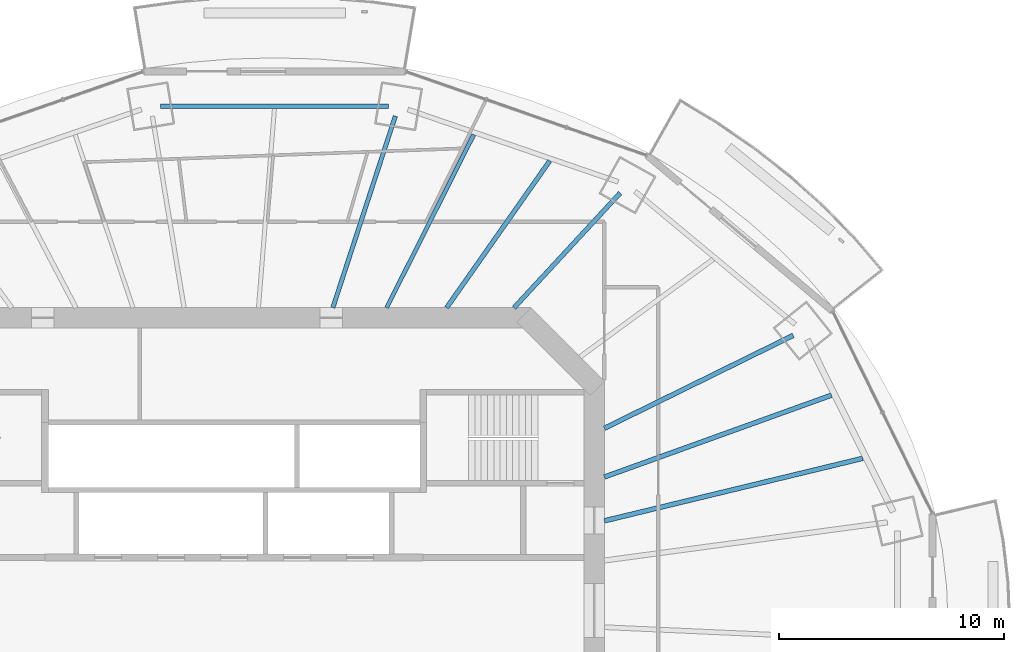
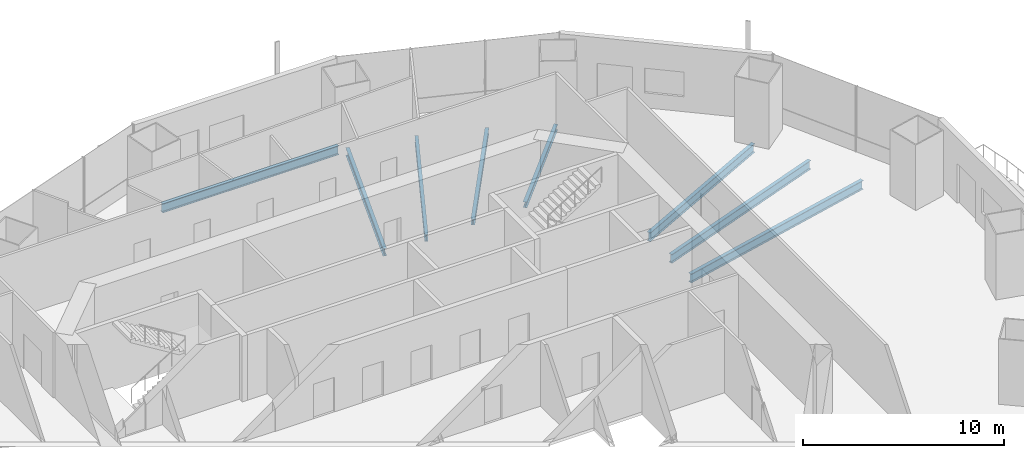
# One storey, part 7 of 19: 8 beams.
"""IFC4 building model written with IfcOpenShell, lengths in metres."""

from ifc_helpers import new_model, si_unit, direction, frame, origin, origin_2d, place, context, subcontext, project, spatial, i_section, extrude, material, material_profile, profile_set, type_object, element, save


model = new_model("IFC4")

# Units and contexts
model_context = context("Model", 3, precision=1e-05, world=origin(), true_north=direction((0.0, 1.0)))
body_context = subcontext(model_context, "Body", "Model", "MODEL_VIEW")
ifc_project = project(units=[si_unit("LENGTHUNIT", "METRE"), si_unit("AREAUNIT", "SQUARE_METRE"), si_unit("VOLUMEUNIT", "CUBIC_METRE"), si_unit("PLANEANGLEUNIT", "RADIAN"), si_unit("MASSUNIT", "GRAM", prefix="KILO")], contexts=[model_context])

# Site, building, storey
site_placement = place(None, origin())
site = spatial("IfcSite", under=ifc_project, at=site_placement, CompositionType="ELEMENT")
building_placement = place(site_placement, origin())
building = spatial("IfcBuilding", under=site, at=building_placement, Name="Marenthal Gate Tower", CompositionType="ELEMENT")
storey_placement = place(building_placement, frame((0.0, 0.0, 256.5)))
storey = spatial("IfcBuildingStorey", under=building, at=storey_placement, Name="L57", CompositionType="ELEMENT", Elevation=256.5)

# Beams
ifc_material_1 = material(Name="Steel S355", Category="steel")
ifc_material_profile_1 = material_profile(ifc_material_1, i_section(OverallWidth=0.205078125, OverallDepth=0.35302734375, WebThickness=0.009521484375, FlangeThickness=0.016845703125, FilletRadius=0.014892578125, at=origin_2d()), Name="W360X79")
ifc_profile_set_1 = profile_set([ifc_material_profile_1], Name="Steel S355")
beam_type_1 = type_object("IfcBeamType", Name="W360X79 beam", PredefinedType="BEAM", material=ifc_profile_set_1)
beam_1_placement = place(storey_placement, frame((17.155517578125, 18.55029296875, -0.3564453125), z_axis=(-0.678981850603, -0.734155056205, 0.0), x_axis=(0.734155056205, -0.678981850603, 0.0)))
element("IfcBeam", 1, at=beam_1_placement, inside=storey, type_object=beam_type_1, Name="BM-L57-03", PredefinedType="BEAM", context=body_context, shape_type="SweptSolid", body=[
    extrude(i_section(OverallWidth=0.205078125, OverallDepth=0.35302734375, WebThickness=0.009521484375, FlangeThickness=0.016845703125, FilletRadius=0.014892578125, at=origin_2d()), origin(), (0.0, 0.0, 1.0), 6.947265625),
])
beam_2_placement = place(storey_placement, frame((14.025146484375, 19.978271484375, -0.3564453125), z_axis=(-0.57457109748, -0.818454674335, 0.0), x_axis=(0.818454674335, -0.57457109748, 0.0)))
element("IfcBeam", 2, at=beam_2_placement, inside=storey, type_object=beam_type_1, Name="BM-L57-20", PredefinedType="BEAM", context=body_context, shape_type="SweptSolid", body=[
    extrude(i_section(OverallWidth=0.205078125, OverallDepth=0.35302734375, WebThickness=0.009521484375, FlangeThickness=0.016845703125, FilletRadius=0.014892578125, at=origin_2d()), origin(), (0.0, 0.0, 1.0), 7.976318359375),
])
ifc_material_2 = material(Name="Steel S355", Category="steel")
ifc_material_profile_2 = material_profile(ifc_material_2, i_section(OverallWidth=0.180908203125, OverallDepth=0.4169921875, WebThickness=0.010986328125, FlangeThickness=0.018310546875, FilletRadius=0.01025390625, at=origin_2d()), Name="W410X85")
ifc_profile_set_2 = profile_set([ifc_material_profile_2], Name="Steel S355")
beam_type_2 = type_object("IfcBeamType", Name="W410X85 beam", PredefinedType="BEAM", material=ifc_profile_set_2)
beam_3_placement = place(storey_placement, frame((10.649169921875, 21.140380859375, -0.388427734375), z_axis=(-0.449888013054, -0.893084976758, 0.0), x_axis=(0.893084976758, -0.449888013054, 0.0)))
element("IfcBeam", 3, at=beam_3_placement, inside=storey, type_object=beam_type_2, Name="BM-L57-21", PredefinedType="BEAM", context=body_context, shape_type="SweptSolid", body=[
    extrude(i_section(OverallWidth=0.180908203125, OverallDepth=0.4169921875, WebThickness=0.010986328125, FlangeThickness=0.018310546875, FilletRadius=0.01025390625, at=origin_2d()), origin(), (0.0, 0.0, 1.0), 8.611083984375),
])
ifc_material_3 = material(Name="Steel S355", Category="steel")
ifc_material_profile_3 = material_profile(ifc_material_3, i_section(OverallWidth=0.193115234375, OverallDepth=0.467041015625, WebThickness=0.011474609375, FlangeThickness=0.01904296875, FilletRadius=0.010009765625, at=origin_2d()), Name="W460X97")
ifc_profile_set_3 = profile_set([ifc_material_profile_3], Name="Steel S355")
beam_type_3 = type_object("IfcBeamType", Name="W460X97 beam", PredefinedType="BEAM", material=ifc_profile_set_3)
beam_4_placement = place(storey_placement, frame((7.1630859375, 21.965087890625, -0.41357421875), z_axis=(-0.310038810958, -0.950723900878, 0.0), x_axis=(0.950723900878, -0.310038810958, 0.0)))
element("IfcBeam", 4, at=beam_4_placement, inside=storey, type_object=beam_type_3, Name="BM-L57-04", PredefinedType="BEAM", context=body_context, shape_type="SweptSolid", body=[
    extrude(i_section(OverallWidth=0.193115234375, OverallDepth=0.467041015625, WebThickness=0.011474609375, FlangeThickness=0.01904296875, FilletRadius=0.010009765625, at=origin_2d()), origin(), (0.0, 0.0, 1.0), 8.95654296875),
])
ifc_material_4 = material(Name="Steel S355", Category="steel")
ifc_material_profile_4 = material_profile(ifc_material_4, i_section(OverallWidth=0.2099609375, OverallDepth=0.535888671875, WebThickness=0.010986328125, FlangeThickness=0.017333984375, FilletRadius=0.0126953125, at=origin_2d()), Name="W530X101")
ifc_profile_set_4 = profile_set([ifc_material_profile_4], Name="Steel S355")
beam_type_4 = type_object("IfcBeamType", Name="W530X101 beam", PredefinedType="BEAM", material=ifc_profile_set_4)
beam_5_placement = place(storey_placement, frame((24.841796875, 12.22119140625, -0.447998046875), z_axis=(-0.897295727619, -0.441429923313, 0.0), x_axis=(0.441429923313, -0.897295727619, 0.0)))
element("IfcBeam", 5, at=beam_5_placement, inside=storey, type_object=beam_type_4, Name="BM-L57-02", PredefinedType="BEAM", context=body_context, shape_type="SweptSolid", body=[
    extrude(i_section(OverallWidth=0.2099609375, OverallDepth=0.535888671875, WebThickness=0.010986328125, FlangeThickness=0.017333984375, FilletRadius=0.0126953125, at=origin_2d()), origin(), (0.0, 0.0, 1.0), 9.352294921875),
])
beam_6_placement = place(storey_placement, frame((26.539306640625, 9.564453125, -0.447998046875), z_axis=(-0.940773890278, -0.33903464037, 0.0), x_axis=(0.33903464037, -0.940773890278, 0.0)))
element("IfcBeam", 6, at=beam_6_placement, inside=storey, type_object=beam_type_4, Name="BM-L57-18", PredefinedType="BEAM", context=body_context, shape_type="SweptSolid", body=[
    extrude(i_section(OverallWidth=0.2099609375, OverallDepth=0.535888671875, WebThickness=0.010986328125, FlangeThickness=0.017333984375, FilletRadius=0.0126953125, at=origin_2d()), origin(), (0.0, 0.0, 1.0), 10.724609375),
])
ifc_material_5 = material(Name="Steel S355", Category="steel")
ifc_material_profile_5 = material_profile(ifc_material_5, i_section(OverallWidth=0.2119140625, OverallDepth=0.5439453125, WebThickness=0.01318359375, FlangeThickness=0.021240234375, FilletRadius=0.0126953125, at=origin_2d()), Name="W530X123")
ifc_profile_set_5 = profile_set([ifc_material_profile_5], Name="Steel S355")
beam_type_5 = type_object("IfcBeamType", Name="W530X123 beam", PredefinedType="BEAM", material=ifc_profile_set_5)
beam_7_placement = place(storey_placement, frame((27.93701171875, 6.76025390625, -0.451904296875), z_axis=(-0.971950777565, -0.235184365956, 0.0), x_axis=(0.235184365956, -0.971950777565, 0.0)))
element("IfcBeam", 7, at=beam_7_placement, inside=storey, type_object=beam_type_5, Name="BM-L57-17", PredefinedType="BEAM", context=body_context, shape_type="SweptSolid", body=[
    extrude(i_section(OverallWidth=0.2119140625, OverallDepth=0.5439453125, WebThickness=0.01318359375, FlangeThickness=0.021240234375, FilletRadius=0.0126953125, at=origin_2d()), origin(), (0.0, 0.0, 1.0), 11.818603515625),
])
beam_8_placement = place(storey_placement, frame((6.868408203125, 22.4033203125, -0.451904296875), z_axis=(-1.0, 0.0, 0.0), x_axis=(0.0, -1.0, 0.0)))
element("IfcBeam", 8, at=beam_8_placement, inside=storey, type_object=beam_type_5, Name="BM-L57-44", PredefinedType="BEAM", context=body_context, shape_type="SweptSolid", body=[
    extrude(i_section(OverallWidth=0.2119140625, OverallDepth=0.5439453125, WebThickness=0.01318359375, FlangeThickness=0.021240234375, FilletRadius=0.0126953125, at=origin_2d()), origin(), (0.0, 0.0, 1.0), 10.13671875),
])

save(model, "model.ifc")
